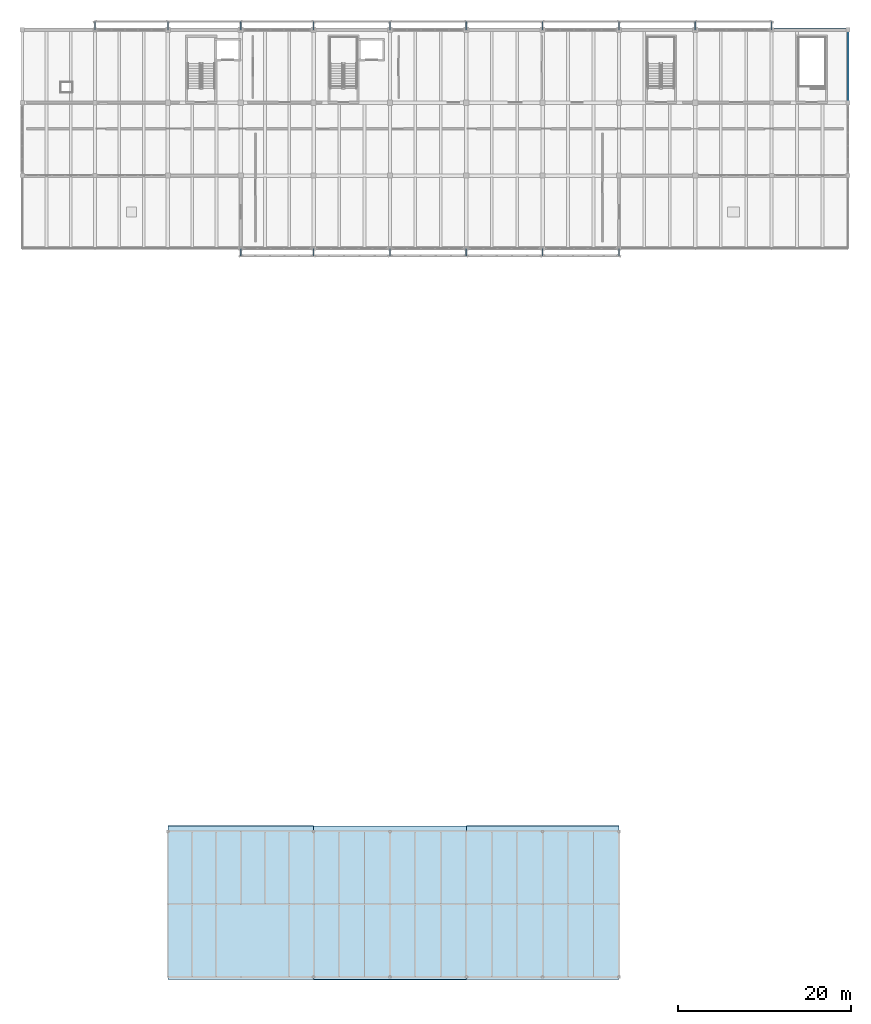
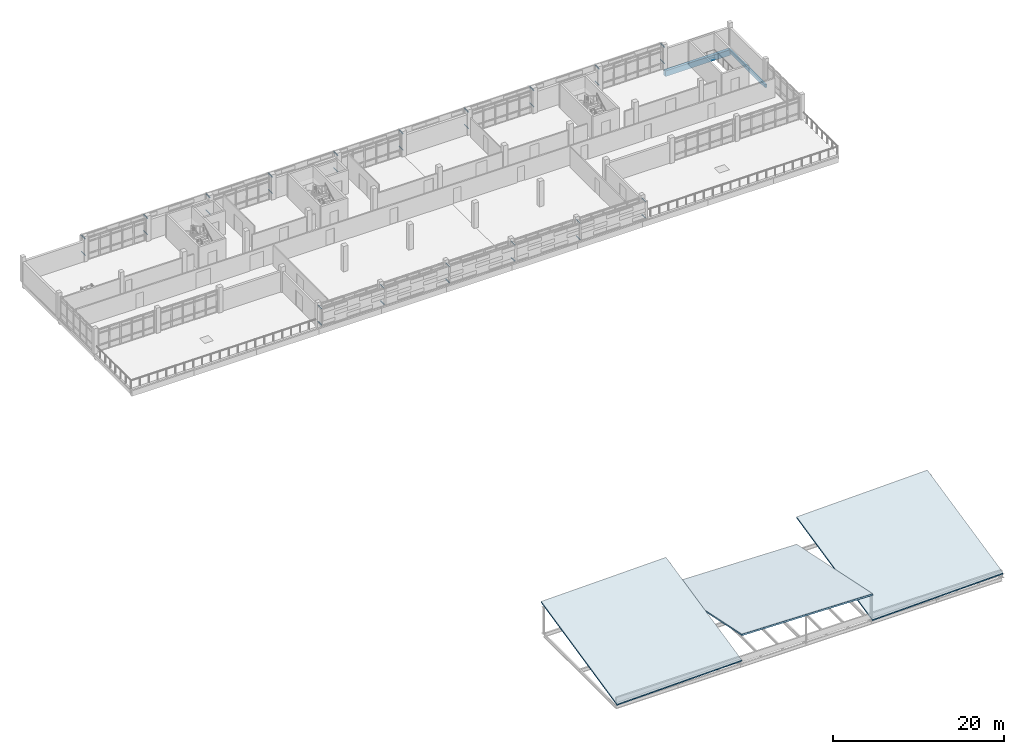
# One storey, part 36 of 50: 32 members, 3 slabs, 2 beams.
"""IFC4 building model written with IfcOpenShell, lengths in metres."""

from ifc_helpers import new_model, si_unit, direction, frame, origin, origin_2d, place, context, subcontext, project, spatial, polyline, rectangle, hollow_circle, outline, extrude, material, layer, layer_set, material_profile, profile_set, type_object, element, save


model = new_model("IFC4")

# Units and contexts
model_context = context("Model", 3, precision=1e-05, world=origin(), true_north=direction((0.0, 1.0)))
body_context = subcontext(model_context, "Body", "Model", "MODEL_VIEW")
ifc_project = project(units=[si_unit("LENGTHUNIT", "METRE"), si_unit("AREAUNIT", "SQUARE_METRE"), si_unit("VOLUMEUNIT", "CUBIC_METRE"), si_unit("PLANEANGLEUNIT", "RADIAN"), si_unit("MASSUNIT", "GRAM", prefix="KILO")], contexts=[model_context])

# Site, building, storey
site_placement = place(None, origin())
site = spatial("IfcSite", under=ifc_project, at=site_placement, CompositionType="ELEMENT")
building_placement = place(site_placement, origin())
building = spatial("IfcBuilding", under=site, at=building_placement, Name="Cinderway Yard Community Centre", CompositionType="ELEMENT")
storey_placement = place(building_placement, frame((0.0, 0.0, 12.89990234375)))
storey = spatial("IfcBuildingStorey", under=building, at=storey_placement, Name="L03", CompositionType="ELEMENT", Elevation=12.89990234375)

# Beams
ifc_material_1 = material(Name="Concrete C40/50", Category="concrete")
ifc_material_profile_1 = material_profile(ifc_material_1, rectangle(XDim=0.25, YDim=0.449951171875, at=origin_2d()), Name="Concrete C40/50")
ifc_profile_set_1 = profile_set([ifc_material_profile_1], Name="Concrete C40/50")
beam_type_1 = type_object("IfcBeamType", Name="STR-BM-RC250X450", PredefinedType="SPANDREL", material=ifc_profile_set_1)
beam_1_placement = place(storey_placement, frame((136.800048828125, 106.800048828125, -0.46484375), z_axis=(0.0, 1.0, 0.0), x_axis=(-1.0, 0.0, 0.0)))
element("IfcBeam", 1, at=beam_1_placement, inside=storey, type_object=beam_type_1, Name="Transverse girder STR-BM-L03-SP02-0749", PredefinedType="SPANDREL", context=body_context, shape_type="SweptSolid", body=[
    extrude(rectangle(XDim=0.25, YDim=0.449951171875, at=origin_2d()), origin(), (0.0, 0.0, 1.0), 8.39990234375),
])
ifc_material_profile_2 = material_profile(ifc_material_1, rectangle(XDim=0.39990234375, YDim=0.800048828125, at=origin_2d()), Name="Concrete C40/50")
ifc_profile_set_2 = profile_set([ifc_material_profile_2], Name="Concrete C40/50")
beam_type_2 = type_object("IfcBeamType", Name="STR-BM-RC400X800", PredefinedType="BEAM", material=ifc_profile_set_2)
beam_2_placement = place(storey_placement, frame((128.0, 115.199951171875, -0.639892578125), z_axis=(1.0, 0.0, 0.0), x_axis=(0.0, 1.0, 0.0)))
element("IfcBeam", 2, at=beam_2_placement, inside=storey, type_object=beam_type_2, Name="Primary girder STR-BM-L03-BG05-0713", PredefinedType="BEAM", context=body_context, shape_type="SweptSolid", body=[
    extrude(rectangle(XDim=0.39990234375, YDim=0.800048828125, at=origin_2d()), origin(), (0.0, 0.0, 1.0), 8.800048828125),
])

# Members
ifc_material_2 = material(Name="Steel S355", Category="steel")
ifc_material_profile_3 = material_profile(ifc_material_2, hollow_circle(Radius=0.06982421875, WallThickness=0.00634765625, at=origin_2d()), Name="Steel S355")
ifc_profile_set_3 = profile_set([ifc_material_profile_3], Name="Steel S355")
member_type = type_object("IfcMemberType", Name="STR-MEM-STRUT-CHS140", PredefinedType="STRUT", material=ifc_profile_set_3)
for number, where, z_axis, x_axis, name in (
    (3, (50.0, 115.199951171875, 0.710205078125), (0.0, 1.0, 0.0), (-1.0, 0.0, 0.0), "Screen outrigger strut 0101"),
    (4, (50.0, 115.199951171875, 3.0400390625), (0.0, 1.0, 0.0), (-1.0, 0.0, 0.0), "Screen outrigger strut 0102"),
    (5, (58.39990234375, 115.199951171875, 0.710205078125), (0.0, 1.0, 0.0), (-1.0, 0.0, 0.0), "Screen outrigger strut 0105"),
    (6, (58.39990234375, 115.199951171875, 3.0400390625), (0.0, 1.0, 0.0), (-1.0, 0.0, 0.0), "Screen outrigger strut 0106"),
    (7, (66.800048828125, 115.199951171875, 0.710205078125), (0.0, 1.0, 0.0), (-1.0, 0.0, 0.0), "Screen outrigger strut 0109"),
    (8, (66.800048828125, 115.199951171875, 3.0400390625), (0.0, 1.0, 0.0), (-1.0, 0.0, 0.0), "Screen outrigger strut 0110"),
    (9, (75.199951171875, 115.199951171875, 0.710205078125), (0.0, 1.0, 0.0), (-1.0, 0.0, 0.0), "Screen outrigger strut 0113"),
    (10, (75.199951171875, 115.199951171875, 3.0400390625), (0.0, 1.0, 0.0), (-1.0, 0.0, 0.0), "Screen outrigger strut 0114"),
    (11, (84.0, 115.199951171875, 0.710205078125), (0.0, 1.0, 0.0), (-1.0, 0.0, 0.0), "Screen outrigger strut 0117"),
    (12, (84.0, 115.199951171875, 3.0400390625), (0.0, 1.0, 0.0), (-1.0, 0.0, 0.0), "Screen outrigger strut 0118"),
    (13, (92.800048828125, 115.199951171875, 0.710205078125), (0.0, 1.0, 0.0), (-1.0, 0.0, 0.0), "Screen outrigger strut 0121"),
    (14, (92.800048828125, 115.199951171875, 3.0400390625), (0.0, 1.0, 0.0), (-1.0, 0.0, 0.0), "Screen outrigger strut 0122"),
    (15, (101.60009765625, 115.199951171875, 0.710205078125), (0.0, 1.0, 0.0), (-1.0, 0.0, 0.0), "Screen outrigger strut 0125"),
    (16, (101.60009765625, 115.199951171875, 3.0400390625), (0.0, 1.0, 0.0), (-1.0, 0.0, 0.0), "Screen outrigger strut 0126"),
    (17, (110.39990234375, 115.199951171875, 0.710205078125), (0.0, 1.0, 0.0), (-1.0, 0.0, 0.0), "Screen outrigger strut 0129"),
    (18, (110.39990234375, 115.199951171875, 3.0400390625), (0.0, 1.0, 0.0), (-1.0, 0.0, 0.0), "Screen outrigger strut 0130"),
    (19, (119.199951171875, 115.199951171875, 0.710205078125), (0.0, 1.0, 0.0), (-1.0, 0.0, 0.0), "Screen outrigger strut 0133"),
    (20, (119.199951171875, 115.199951171875, 3.0400390625), (0.0, 1.0, 0.0), (-1.0, 0.0, 0.0), "Screen outrigger strut 0134"),
    (21, (128.0, 115.199951171875, 0.710205078125), (0.0, 1.0, 0.0), (-1.0, 0.0, 0.0), "Screen outrigger strut 0137"),
    (22, (128.0, 115.199951171875, 3.0400390625), (0.0, 1.0, 0.0), (-1.0, 0.0, 0.0), "Screen outrigger strut 0138"),
):
    element("IfcMember", number, at=place(storey_placement, frame(where, z_axis=z_axis, x_axis=x_axis)), inside=storey, type_object=member_type, Name=name, PredefinedType="STRUT", context=body_context, shape_type="SweptSolid", body=[
        extrude(hollow_circle(Radius=0.06982421875, WallThickness=0.00634765625, at=origin_2d()), origin(), (0.0, 0.0, 1.0), 0.949951171875),
    ])
for number, where, z_axis, x_axis, name in (
    (23, (66.800048828125, 90.0, 0.710205078125), (0.0, -1.0, 0.0), (1.0, 0.0, 0.0), "Screen outrigger strut 0273"),
    (24, (66.800048828125, 90.0, 3.0400390625), (0.0, -1.0, 0.0), (1.0, 0.0, 0.0), "Screen outrigger strut 0274"),
    (25, (75.199951171875, 90.0, 0.710205078125), (0.0, -1.0, 0.0), (1.0, 0.0, 0.0), "Screen outrigger strut 0277"),
    (26, (75.199951171875, 90.0, 3.0400390625), (0.0, -1.0, 0.0), (1.0, 0.0, 0.0), "Screen outrigger strut 0278"),
    (27, (84.0, 90.0, 0.710205078125), (0.0, -1.0, 0.0), (1.0, 0.0, 0.0), "Screen outrigger strut 0281"),
    (28, (84.0, 90.0, 3.0400390625), (0.0, -1.0, 0.0), (1.0, 0.0, 0.0), "Screen outrigger strut 0282"),
    (29, (92.800048828125, 90.0, 0.710205078125), (0.0, -1.0, 0.0), (1.0, 0.0, 0.0), "Screen outrigger strut 0285"),
    (30, (92.800048828125, 90.0, 3.0400390625), (0.0, -1.0, 0.0), (1.0, 0.0, 0.0), "Screen outrigger strut 0286"),
    (31, (101.60009765625, 90.0, 0.710205078125), (0.0, -1.0, 0.0), (1.0, 0.0, 0.0), "Screen outrigger strut 0289"),
    (32, (101.60009765625, 90.0, 3.0400390625), (0.0, -1.0, 0.0), (1.0, 0.0, 0.0), "Screen outrigger strut 0290"),
    (33, (110.39990234375, 90.0, 0.710205078125), (0.0, -1.0, 0.0), (1.0, 0.0, 0.0), "Screen outrigger strut 0293"),
    (34, (110.39990234375, 90.0, 3.0400390625), (0.0, -1.0, 0.0), (1.0, 0.0, 0.0), "Screen outrigger strut 0294"),
):
    element("IfcMember", number, at=place(storey_placement, frame(where, z_axis=z_axis, x_axis=x_axis)), inside=storey, type_object=member_type, Name=name, PredefinedType="STRUT", context=body_context, shape_type="SweptSolid", body=[
        extrude(hollow_circle(Radius=0.06982421875, WallThickness=0.00634765625, at=origin_2d()), origin(), (0.0, 0.0, 1.0), 0.85009765625),
    ])

# Slabs
ifc_layer = layer(ifc_material_1, 0.199951171875, Name="Concrete C40/50")
ifc_layer_set = layer_set([ifc_layer], Name="Concrete C40/50")
slab_type = type_object("IfcSlabType", Name="STR-SLAB-ROOF-MP200", PredefinedType="ROOF", material=ifc_layer_set)
slab_1_placement = place(storey_placement, frame((58.39990234375, 5.699951171875, 0.25), z_axis=(-0.023246842346, -0.215121230789, 0.976310626996), x_axis=(0.999716632818, 1.525624e-06, 0.02380449675)))
element("IfcSlab", 35, at=slab_1_placement, inside=storey, type_object=slab_type, Name="V3 Dining Scissored Roof FOLD1", PredefinedType="ROOF", context=body_context, shape_type="SweptSolid", body=[
    extrude(outline(polyline([(0.0, 0.0), (16.80481353131115, -1.3877787807814457e-17), (16.89767574745852, 18.124262367670433), (0.0928680277920872, 18.124314872611116), (0.0, 0.0)])), origin(), (0.0, 0.0, -1.0), 0.199951171875),
])
slab_2_placement = place(storey_placement, frame((75.199951171875, 5.699951171875, 4.35009765625), z_axis=(0.022242122574, 0.204570526174, 0.978599094525), x_axis=(0.999741813497, -1.388132e-06, -0.022722375396)))
element("IfcSlab", 36, at=slab_2_placement, inside=storey, type_object=slab_type, Name="V3 Dining Scissored Roof FOLD2", PredefinedType="ROOF", context=body_context, shape_type="SweptSolid", body=[
    extrude(outline(polyline([(0.0, 0.0), (17.604640279761565, 1.3877787807814457e-17), (17.688692936819987, 18.08238512956677), (0.0840471096034927, 18.082335198477974), (0.0, 0.0)])), origin(), (0.0, 0.0, -1.0), 0.199951171875),
])
slab_3_placement = place(storey_placement, frame((92.800048828125, 5.699951171875, 0.25), z_axis=(-0.02773311433, -0.215103036652, 0.976197499481), x_axis=(0.999596699168, 0.0, 0.028397869854)))
element("IfcSlab", 37, at=slab_3_placement, inside=storey, type_object=slab_type, Name="V3 Dining Scissored Roof FOLD3", PredefinedType="ROOF", context=body_context, shape_type="SweptSolid", body=[
    extrude(outline(polyline([(0.0, 0.0), (17.60695441498778, 0.0), (17.717710267262124, 18.124214389250884), (0.11075585227434427, 18.124214389250884), (0.0, 0.0)])), origin(), (0.0, 0.0, -1.0), 0.199951171875),
])

save(model, "model.ifc")
